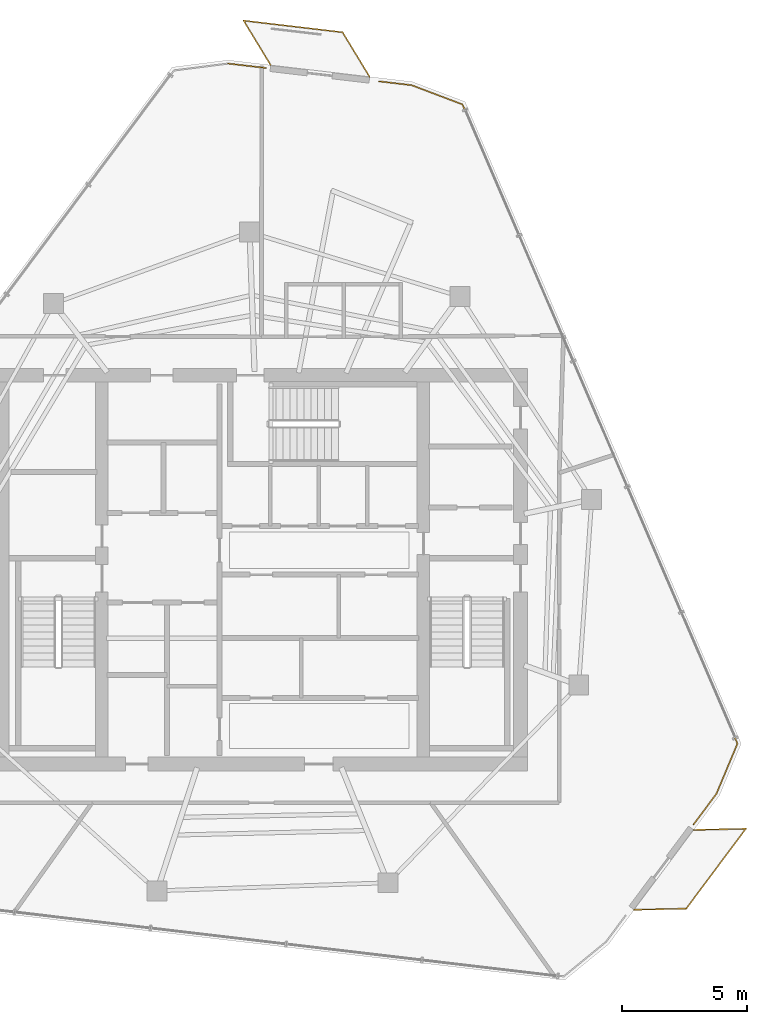
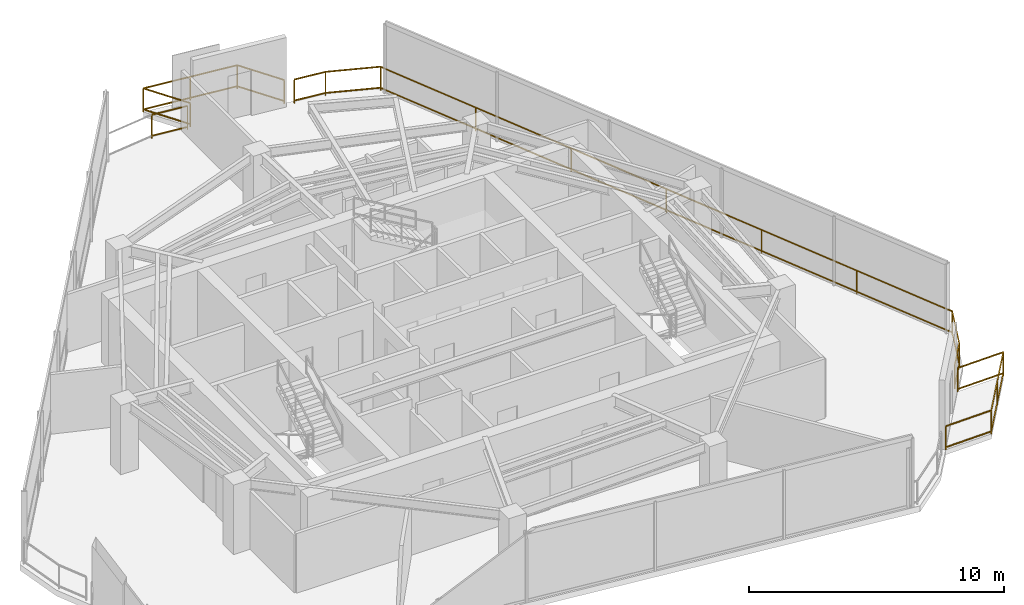
# One storey, part 18 of 18: 4 railings.
"""IFC4 building model written with IfcOpenShell, lengths in metres."""

from ifc_helpers import new_model, si_unit, direction, frame, origin, origin_2d, place, context, subcontext, project, spatial, rectangle, extrude, material, type_object, element, save


model = new_model("IFC4")

# Units and contexts
model_context = context("Model", 3, precision=1e-05, world=origin(), true_north=direction((0.0, 1.0)))
body_context = subcontext(model_context, "Body", "Model", "MODEL_VIEW")
ifc_project = project(units=[si_unit("LENGTHUNIT", "METRE"), si_unit("AREAUNIT", "SQUARE_METRE"), si_unit("VOLUMEUNIT", "CUBIC_METRE"), si_unit("PLANEANGLEUNIT", "RADIAN"), si_unit("MASSUNIT", "GRAM", prefix="KILO")], contexts=[model_context])

# Site, building, storey
site_placement = place(None, origin())
site = spatial("IfcSite", under=ifc_project, at=site_placement, CompositionType="ELEMENT")
building_placement = place(site_placement, origin())
building = spatial("IfcBuilding", under=site, at=building_placement, Name="Qarnah Convention Tower", CompositionType="ELEMENT")
storey_placement = place(building_placement, frame((0.0, 0.0, 267.89990234375)))
storey = spatial("IfcBuildingStorey", under=building, at=storey_placement, Name="L72", CompositionType="ELEMENT", Elevation=267.89990234375)

# Railings
ifc_material = material(Name="Black anodised aluminium", Category="aluminium")
railing_type = type_object("IfcRailingType", Name="RL-EXT-GUARD-1150", PredefinedType="GUARDRAIL", material=ifc_material)
railing_1_placement = place(storey_placement, frame((35.861083984375, 46.708984375, 0.0)))
element("IfcRailing", 1, at=railing_1_placement, inside=storey, type_object=railing_type, Name="L72 slab-edge perimeter safety guard 01", PredefinedType="GUARDRAIL", context=body_context, shape_type="SweptSolid", body=[
    extrude(rectangle(XDim=0.048095703125, YDim=0.048095703125, at=origin_2d()), frame((0.0, 0.0, 1.1259765625), z_axis=(0.993149516129, -0.116850496842, 0.0), x_axis=(0.116850496842, 0.993149516129, 0.0)), (0.0, 0.0, 1.0), 1.531494140625),
    extrude(rectangle(XDim=0.048095703125, YDim=0.048095703125, at=origin_2d()), frame((0.0, 0.0, 0.1201171875), z_axis=(0.993149516129, -0.116850496842, 0.0), x_axis=(0.116850496842, 0.993149516129, 0.0)), (0.0, 0.0, 1.0), 1.531494140625),
    extrude(rectangle(XDim=0.0419921875, YDim=0.0419921875, at=origin_2d()), origin(), (0.0, 0.0, 1.0), 1.101806640625),
    extrude(rectangle(XDim=0.0419921875, YDim=0.0419921875, at=origin_2d()), frame((1.52099609375, -0.178955078125, 0.0)), (0.0, 0.0, 1.0), 1.101806640625),
])
railing_2_placement = place(storey_placement, frame((41.909912109375, 45.9970703125, 0.0)))
element("IfcRailing", 2, at=railing_2_placement, inside=storey, type_object=railing_type, Name="L72 slab-edge perimeter safety guard 02", PredefinedType="GUARDRAIL", context=body_context, shape_type="SweptSolid", body=[
    extrude(rectangle(XDim=0.048095703125, YDim=0.048095703125, at=origin_2d()), frame((0.0, 0.0, 1.1259765625), z_axis=(0.993114035444, -0.117151664965, 0.0), x_axis=(0.117151664965, 0.993114035444, 0.0)), (0.0, 0.0, 1.0), 1.3232421875),
    extrude(rectangle(XDim=0.048095703125, YDim=0.048095703125, at=origin_2d()), frame((0.0, 0.0, 0.1201171875), z_axis=(0.993114035444, -0.117151664965, 0.0), x_axis=(0.117151664965, 0.993114035444, 0.0)), (0.0, 0.0, 1.0), 1.3232421875),
    extrude(rectangle(XDim=0.048095703125, YDim=0.048095703125, at=origin_2d()), frame((1.314208984375, -0.155029296875, 1.1259765625), z_axis=(0.93529625573, -0.35386567228, 0.0), x_axis=(0.35386567228, 0.93529625573, 0.0)), (0.0, 0.0, 1.0), 2.184326171875),
    extrude(rectangle(XDim=0.048095703125, YDim=0.048095703125, at=origin_2d()), frame((1.314208984375, -0.155029296875, 0.1201171875), z_axis=(0.93529625573, -0.35386567228, 0.0), x_axis=(0.35386567228, 0.93529625573, 0.0)), (0.0, 0.0, 1.0), 2.184326171875),
    extrude(rectangle(XDim=0.048095703125, YDim=0.048095703125, at=origin_2d()), frame((3.357177734375, -0.927978515625, 1.1259765625), z_axis=(0.395202113819, -0.918594191813, 0.0), x_axis=(0.918594191813, 0.395202113819, 0.0)), (0.0, 0.0, 1.0), 27.922119140625),
    extrude(rectangle(XDim=0.048095703125, YDim=0.048095703125, at=origin_2d()), frame((3.357177734375, -0.927978515625, 0.1201171875), z_axis=(0.395202113819, -0.918594191813, 0.0), x_axis=(0.918594191813, 0.395202113819, 0.0)), (0.0, 0.0, 1.0), 27.922119140625),
    extrude(rectangle(XDim=0.048095703125, YDim=0.048095703125, at=origin_2d()), frame((14.39208984375, -26.5771484375, 1.1259765625), z_axis=(-0.38651195944, -0.922284394973, 0.0), x_axis=(0.922284394973, -0.38651195944, 0.0)), (0.0, 0.0, 1.0), 2.18359375),
    extrude(rectangle(XDim=0.048095703125, YDim=0.048095703125, at=origin_2d()), frame((14.39208984375, -26.5771484375, 0.1201171875), z_axis=(-0.38651195944, -0.922284394973, 0.0), x_axis=(0.922284394973, -0.38651195944, 0.0)), (0.0, 0.0, 1.0), 2.18359375),
    extrude(rectangle(XDim=0.048095703125, YDim=0.048095703125, at=origin_2d()), frame((13.548095703125, -28.591064453125, 1.1259765625), z_axis=(-0.598011147394, -0.801487783807, 0.0), x_axis=(0.801487783807, -0.598011147394, 0.0)), (0.0, 0.0, 1.0), 1.533447265625),
    extrude(rectangle(XDim=0.048095703125, YDim=0.048095703125, at=origin_2d()), frame((13.548095703125, -28.591064453125, 0.1201171875), z_axis=(-0.598011147394, -0.801487783807, 0.0), x_axis=(0.801487783807, -0.598011147394, 0.0)), (0.0, 0.0, 1.0), 1.533447265625),
    extrude(rectangle(XDim=0.0419921875, YDim=0.0419921875, at=origin_2d()), origin(), (0.0, 0.0, 1.0), 1.101806640625),
    extrude(rectangle(XDim=0.0419921875, YDim=0.0419921875, at=origin_2d()), frame((1.314208984375, -0.155029296875, 0.0)), (0.0, 0.0, 1.0), 1.101806640625),
    extrude(rectangle(XDim=0.0419921875, YDim=0.0419921875, at=origin_2d()), frame((3.357177734375, -0.927978515625, 0.0)), (0.0, 0.0, 1.0), 1.101806640625),
    extrude(rectangle(XDim=0.0419921875, YDim=0.0419921875, at=origin_2d()), frame((5.1962890625, -5.202880859375, 0.0)), (0.0, 0.0, 1.0), 1.101806640625),
    extrude(rectangle(XDim=0.0419921875, YDim=0.0419921875, at=origin_2d()), frame((7.035400390625, -9.477783203125, 0.0)), (0.0, 0.0, 1.0), 1.101806640625),
    extrude(rectangle(XDim=0.0419921875, YDim=0.0419921875, at=origin_2d()), frame((8.87451171875, -13.75244140625, 0.0)), (0.0, 0.0, 1.0), 1.101806640625),
    extrude(rectangle(XDim=0.0419921875, YDim=0.0419921875, at=origin_2d()), frame((10.7138671875, -18.02734375, 0.0)), (0.0, 0.0, 1.0), 1.101806640625),
    extrude(rectangle(XDim=0.0419921875, YDim=0.0419921875, at=origin_2d()), frame((12.552978515625, -22.30224609375, 0.0)), (0.0, 0.0, 1.0), 1.101806640625),
    extrude(rectangle(XDim=0.0419921875, YDim=0.0419921875, at=origin_2d()), frame((14.39208984375, -26.5771484375, 0.0)), (0.0, 0.0, 1.0), 1.101806640625),
    extrude(rectangle(XDim=0.0419921875, YDim=0.0419921875, at=origin_2d()), frame((13.548095703125, -28.591064453125, 0.0)), (0.0, 0.0, 1.0), 1.101806640625),
    extrude(rectangle(XDim=0.0419921875, YDim=0.0419921875, at=origin_2d()), frame((12.631103515625, -29.820068359375, 0.0)), (0.0, 0.0, 1.0), 1.101806640625),
])
railing_3_placement = place(storey_placement, frame((37.571044921875, 46.64306640625, 0.0)))
element("IfcRailing", 3, at=railing_3_placement, inside=storey, type_object=railing_type, Name="L72 balcony safety guard BAL-L72-C1", PredefinedType="GUARDRAIL", context=body_context, shape_type="SweptSolid", body=[
    extrude(rectangle(XDim=0.048095703125, YDim=0.048095703125, at=origin_2d()), frame((0.0, 0.0, 1.1259765625), z_axis=(-0.51909980822, 0.854713629882, 0.0), x_axis=(-0.854713629882, -0.51909980822, 0.0)), (0.0, 0.0, 1.0), 2.09423828125),
    extrude(rectangle(XDim=0.048095703125, YDim=0.048095703125, at=origin_2d()), frame((0.0, 0.0, 0.1201171875), z_axis=(-0.51909980822, 0.854713629882, 0.0), x_axis=(-0.854713629882, -0.51909980822, 0.0)), (0.0, 0.0, 1.0), 2.09423828125),
    extrude(rectangle(XDim=0.048095703125, YDim=0.048095703125, at=origin_2d()), frame((-1.087158203125, 1.7900390625, 1.1259765625), z_axis=(0.993133514826, -0.116986416856, 0.0), x_axis=(0.116986416856, 0.993133514826, 0.0)), (0.0, 0.0, 1.0), 4.000732421875),
    extrude(rectangle(XDim=0.048095703125, YDim=0.048095703125, at=origin_2d()), frame((-1.087158203125, 1.7900390625, 0.1201171875), z_axis=(0.993133514826, -0.116986416856, 0.0), x_axis=(0.116986416856, 0.993133514826, 0.0)), (0.0, 0.0, 1.0), 4.000732421875),
    extrude(rectangle(XDim=0.048095703125, YDim=0.048095703125, at=origin_2d()), frame((2.885986328125, 1.322021484375, 1.1259765625), z_axis=(0.519014639748, -0.854765350097, 0.0), x_axis=(0.854765350097, 0.519014639748, 0.0)), (0.0, 0.0, 1.0), 2.09423828125),
    extrude(rectangle(XDim=0.048095703125, YDim=0.048095703125, at=origin_2d()), frame((2.885986328125, 1.322021484375, 0.1201171875), z_axis=(0.519014639748, -0.854765350097, 0.0), x_axis=(0.854765350097, 0.519014639748, 0.0)), (0.0, 0.0, 1.0), 2.09423828125),
    extrude(rectangle(XDim=0.0419921875, YDim=0.0419921875, at=origin_2d()), origin(), (0.0, 0.0, 1.0), 1.101806640625),
    extrude(rectangle(XDim=0.0419921875, YDim=0.0419921875, at=origin_2d()), frame((-1.087158203125, 1.7900390625, 0.0)), (0.0, 0.0, 1.0), 1.101806640625),
    extrude(rectangle(XDim=0.0419921875, YDim=0.0419921875, at=origin_2d()), frame((0.8994140625, 1.55615234375, 0.0)), (0.0, 0.0, 1.0), 1.101806640625),
    extrude(rectangle(XDim=0.0419921875, YDim=0.0419921875, at=origin_2d()), frame((2.885986328125, 1.322021484375, 0.0)), (0.0, 0.0, 1.0), 1.101806640625),
    extrude(rectangle(XDim=0.0419921875, YDim=0.0419921875, at=origin_2d()), frame((3.972900390625, -0.468017578125, 0.0)), (0.0, 0.0, 1.0), 1.101806640625),
])
railing_4_placement = place(storey_placement, frame((54.5458984375, 15.95703125, 0.0)))
element("IfcRailing", 4, at=railing_4_placement, inside=storey, type_object=railing_type, Name="L72 balcony safety guard BAL-L72-C3", PredefinedType="GUARDRAIL", context=body_context, shape_type="SweptSolid", body=[
    extrude(rectangle(XDim=0.048095703125, YDim=0.048095703125, at=origin_2d()), frame((0.0, 0.0, 1.1259765625), z_axis=(0.999759639304, 0.021924042014, 0.0), x_axis=(-0.021924042014, 0.999759639304, 0.0)), (0.0, 0.0, 1.0), 2.093505859375),
    extrude(rectangle(XDim=0.048095703125, YDim=0.048095703125, at=origin_2d()), frame((0.0, 0.0, 0.1201171875), z_axis=(0.999759639304, 0.021924042014, 0.0), x_axis=(-0.021924042014, 0.999759639304, 0.0)), (0.0, 0.0, 1.0), 2.093505859375),
    extrude(rectangle(XDim=0.048095703125, YDim=0.048095703125, at=origin_2d()), frame((2.093017578125, 0.0458984375, 1.1259765625), z_axis=(-0.597996052063, -0.80149904661, 0.0), x_axis=(0.80149904661, -0.597996052063, 0.0)), (0.0, 0.0, 1.0), 3.999755859375),
    extrude(rectangle(XDim=0.048095703125, YDim=0.048095703125, at=origin_2d()), frame((2.093017578125, 0.0458984375, 0.1201171875), z_axis=(-0.597996052063, -0.80149904661, 0.0), x_axis=(0.80149904661, -0.597996052063, 0.0)), (0.0, 0.0, 1.0), 3.999755859375),
    extrude(rectangle(XDim=0.048095703125, YDim=0.048095703125, at=origin_2d()), frame((-0.298828125, -3.159912109375, 1.1259765625), z_axis=(-0.999746689068, -0.022506836695, 0.0), x_axis=(0.022506836695, -0.999746689068, 0.0)), (0.0, 0.0, 1.0), 2.093505859375),
    extrude(rectangle(XDim=0.048095703125, YDim=0.048095703125, at=origin_2d()), frame((-0.298828125, -3.159912109375, 0.1201171875), z_axis=(-0.999746689068, -0.022506836695, 0.0), x_axis=(0.022506836695, -0.999746689068, 0.0)), (0.0, 0.0, 1.0), 2.093505859375),
    extrude(rectangle(XDim=0.0419921875, YDim=0.0419921875, at=origin_2d()), origin(), (0.0, 0.0, 1.0), 1.101806640625),
    extrude(rectangle(XDim=0.0419921875, YDim=0.0419921875, at=origin_2d()), frame((2.093017578125, 0.0458984375, 0.0)), (0.0, 0.0, 1.0), 1.101806640625),
    extrude(rectangle(XDim=0.0419921875, YDim=0.0419921875, at=origin_2d()), frame((0.89697265625, -1.55712890625, 0.0)), (0.0, 0.0, 1.0), 1.101806640625),
    extrude(rectangle(XDim=0.0419921875, YDim=0.0419921875, at=origin_2d()), frame((-0.298828125, -3.159912109375, 0.0)), (0.0, 0.0, 1.0), 1.101806640625),
    extrude(rectangle(XDim=0.0419921875, YDim=0.0419921875, at=origin_2d()), frame((-2.391845703125, -3.20703125, 0.0)), (0.0, 0.0, 1.0), 1.101806640625),
])

save(model, "model.ifc")
